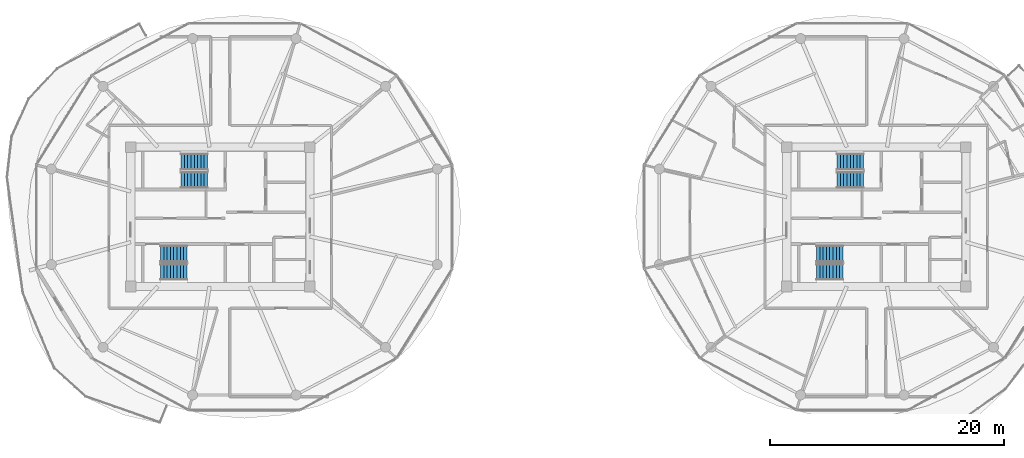
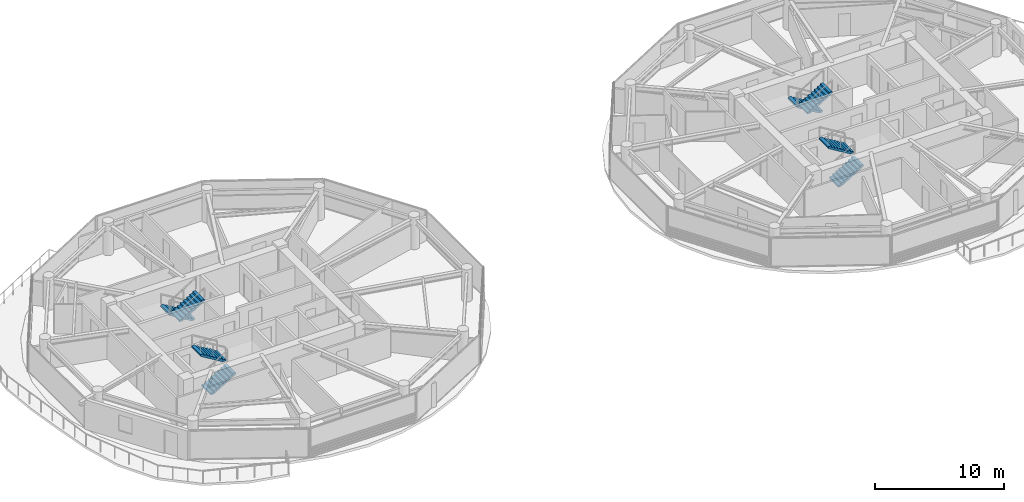
# One storey, part 18 of 23: 8 stair flights, 4 elements without a shape of their own.
"""IFC4 building model written with IfcOpenShell, lengths in metres."""

from ifc_helpers import new_model, si_unit, direction, frame, origin, place, context, subcontext, project, spatial, polyline, outline, extrude, material, type_object, element, aggregate, save


model = new_model("IFC4")

# Units and contexts
model_context = context("Model", 3, precision=1e-05, world=origin(), true_north=direction((0.0, 1.0)))
body_context = subcontext(model_context, "Body", "Model", "MODEL_VIEW")
ifc_project = project(units=[si_unit("LENGTHUNIT", "METRE"), si_unit("AREAUNIT", "SQUARE_METRE"), si_unit("VOLUMEUNIT", "CUBIC_METRE"), si_unit("PLANEANGLEUNIT", "RADIAN"), si_unit("MASSUNIT", "GRAM", prefix="KILO")], contexts=[model_context])

# Site, building, storey
site_placement = place(None, origin())
site = spatial("IfcSite", under=ifc_project, at=site_placement, CompositionType="ELEMENT")
building_placement = place(site_placement, origin())
building = spatial("IfcBuilding", under=site, at=building_placement, Name="Norrkilde Senior Care Towers", CompositionType="ELEMENT")
storey_placement = place(building_placement, frame((0.0, 0.0, 93.199951171875)))
storey = spatial("IfcBuildingStorey", under=building, at=storey_placement, Name="L28", CompositionType="ELEMENT", Elevation=93.199951171875)

# Stair, stair flights
ifc_material = material(Name="Concrete C45/55", Category="concrete")
stair_type = type_object("IfcStairType", Name="Core Protected Dogleg Stair Typical 3050", PredefinedType="HALF_TURN_STAIR", material=ifc_material)
stair_1_placement = place(storey_placement, origin())
stair_1 = element("IfcStair", 1, at=stair_1_placement, inside=storey, type_object=stair_type, Name="L28 Protected Core Stair W1", PredefinedType="HALF_TURN_STAIR")
stair_flight_type = type_object("IfcStairFlightType", Name="Core Protected Dogleg Stair Typical 3050 Flight", PredefinedType="STRAIGHT", material=ifc_material)
stair_flight_1_placement = place(storey_placement, frame((-29.10009765625, 4.699951171875, 0.0), z_axis=(0.0, 0.0, 1.0), x_axis=(-1.0, 0.0, 0.0)))
stair_flight_1 = element("IfcStairFlight", 2, at=stair_flight_1_placement, type_object=stair_flight_type, Name="ST-W1 flight 1", NumberOfRisers=9, NumberOfTreads=8, PredefinedType="STRAIGHT", RiserHeight=0.169444444, TreadLength=0.28, context=body_context, shape_type="SweptSolid", body=[
    extrude(outline(polyline([(0.0, 0.0), (0.0, 0.16943359375), (0.280029296875, 0.16943359375), (0.280029296875, 0.3388671875), (0.56005859375, 0.3388671875), (0.56005859375, 0.50830078125), (0.840087890625, 0.50830078125), (0.840087890625, 0.677734375), (1.1201171875, 0.677734375), (1.1201171875, 0.84716796875), (1.39990234375, 0.84716796875), (1.39990234375, 1.0166015625), (1.679931640625, 1.0166015625), (1.679931640625, 1.18603515625), (1.9599609375, 1.18603515625), (1.9599609375, 1.35546875), (2.239990234375, 1.35546875), (2.239990234375, 1.52490234375), (2.239990234375, 1.180419921875), (0.28955078125, 0.0), (0.0, 0.0)])), frame((0.0, 0.699951171875, 0.0), z_axis=(0.0, -1.0, 0.0), x_axis=(1.0, 0.0, 0.0)), (0.0, 0.0, 1.0), 1.39990234375),
])
stair_flight_2_placement = place(storey_placement, frame((-31.340087890625, 3.14990234375, 1.525146484375), z_axis=(0.0, 0.0, 1.0), x_axis=(1.0, 0.0, 0.0)))
stair_flight_2 = element("IfcStairFlight", 3, at=stair_flight_2_placement, type_object=stair_flight_type, Name="ST-W1 flight 2", NumberOfRisers=9, NumberOfTreads=8, PredefinedType="STRAIGHT", RiserHeight=0.169444444, TreadLength=0.28, context=body_context, shape_type="SweptSolid", body=[
    extrude(outline(polyline([(0.0, 0.0), (0.0, 0.16943359375), (0.280029296875, 0.16943359375), (0.280029296875, 0.3388671875), (0.56005859375, 0.3388671875), (0.56005859375, 0.50830078125), (0.840087890625, 0.50830078125), (0.840087890625, 0.677734375), (1.1201171875, 0.677734375), (1.1201171875, 0.84716796875), (1.39990234375, 0.84716796875), (1.39990234375, 1.0166015625), (1.679931640625, 1.0166015625), (1.679931640625, 1.18603515625), (1.9599609375, 1.18603515625), (1.9599609375, 1.35546875), (2.239990234375, 1.35546875), (2.239990234375, 1.52490234375), (2.239990234375, 1.180419921875), (0.28955078125, 0.0), (0.0, 0.0)])), frame((0.0, 0.699951171875, 0.0), z_axis=(0.0, -1.0, 0.0), x_axis=(1.0, 0.0, 0.0)), (0.0, 0.0, 1.0), 1.39990234375),
])
aggregate(stair_1, [stair_flight_1, stair_flight_2])

stair_2_placement = place(storey_placement, origin())
stair_2 = element("IfcStair", 4, at=stair_2_placement, inside=storey, type_object=stair_type, Name="L28 Protected Core Stair W2", PredefinedType="HALF_TURN_STAIR")
stair_flight_3_placement = place(storey_placement, frame((-33.10009765625, -4.699951171875, 0.0), z_axis=(0.0, 0.0, 1.0), x_axis=(1.0, 0.0, 0.0)))
stair_flight_3 = element("IfcStairFlight", 5, at=stair_flight_3_placement, type_object=stair_flight_type, Name="ST-W2 flight 1", NumberOfRisers=9, NumberOfTreads=8, PredefinedType="STRAIGHT", RiserHeight=0.169444444, TreadLength=0.28, context=body_context, shape_type="SweptSolid", body=[
    extrude(outline(polyline([(0.0, 0.0), (0.0, 0.16943359375), (0.280029296875, 0.16943359375), (0.280029296875, 0.3388671875), (0.56005859375, 0.3388671875), (0.56005859375, 0.50830078125), (0.840087890625, 0.50830078125), (0.840087890625, 0.677734375), (1.1201171875, 0.677734375), (1.1201171875, 0.84716796875), (1.39990234375, 0.84716796875), (1.39990234375, 1.0166015625), (1.679931640625, 1.0166015625), (1.679931640625, 1.18603515625), (1.9599609375, 1.18603515625), (1.9599609375, 1.35546875), (2.239990234375, 1.35546875), (2.239990234375, 1.52490234375), (2.239990234375, 1.180419921875), (0.28955078125, 0.0), (0.0, 0.0)])), frame((0.0, 0.699951171875, 0.0), z_axis=(0.0, -1.0, 0.0), x_axis=(1.0, 0.0, 0.0)), (0.0, 0.0, 1.0), 1.39990234375),
])
stair_flight_4_placement = place(storey_placement, frame((-30.860107421875, -3.14990234375, 1.525146484375), z_axis=(0.0, 0.0, 1.0), x_axis=(-1.0, 0.0, 0.0)))
stair_flight_4 = element("IfcStairFlight", 6, at=stair_flight_4_placement, type_object=stair_flight_type, Name="ST-W2 flight 2", NumberOfRisers=9, NumberOfTreads=8, PredefinedType="STRAIGHT", RiserHeight=0.169444444, TreadLength=0.28, context=body_context, shape_type="SweptSolid", body=[
    extrude(outline(polyline([(0.0, 0.0), (0.0, 0.16943359375), (0.280029296875, 0.16943359375), (0.280029296875, 0.3388671875), (0.56005859375, 0.3388671875), (0.56005859375, 0.50830078125), (0.840087890625, 0.50830078125), (0.840087890625, 0.677734375), (1.1201171875, 0.677734375), (1.1201171875, 0.84716796875), (1.39990234375, 0.84716796875), (1.39990234375, 1.0166015625), (1.679931640625, 1.0166015625), (1.679931640625, 1.18603515625), (1.9599609375, 1.18603515625), (1.9599609375, 1.35546875), (2.239990234375, 1.35546875), (2.239990234375, 1.52490234375), (2.239990234375, 1.180419921875), (0.28955078125, 0.0), (0.0, 0.0)])), frame((0.0, 0.699951171875, 0.0), z_axis=(0.0, -1.0, 0.0), x_axis=(1.0, 0.0, 0.0)), (0.0, 0.0, 1.0), 1.39990234375),
])
aggregate(stair_2, [stair_flight_3, stair_flight_4])

stair_3_placement = place(storey_placement, origin())
stair_3 = element("IfcStair", 7, at=stair_3_placement, inside=storey, type_object=stair_type, Name="L28 Protected Core Stair E1", PredefinedType="HALF_TURN_STAIR")
stair_flight_5_placement = place(storey_placement, frame((26.89990234375, 4.699951171875, 0.0), z_axis=(0.0, 0.0, 1.0), x_axis=(-1.0, 0.0, 0.0)))
stair_flight_5 = element("IfcStairFlight", 8, at=stair_flight_5_placement, type_object=stair_flight_type, Name="ST-E1 flight 1", NumberOfRisers=9, NumberOfTreads=8, PredefinedType="STRAIGHT", RiserHeight=0.169444444, TreadLength=0.28, context=body_context, shape_type="SweptSolid", body=[
    extrude(outline(polyline([(0.0, 0.0), (0.0, 0.16943359375), (0.280029296875, 0.16943359375), (0.280029296875, 0.3388671875), (0.56005859375, 0.3388671875), (0.56005859375, 0.50830078125), (0.840087890625, 0.50830078125), (0.840087890625, 0.677734375), (1.1201171875, 0.677734375), (1.1201171875, 0.84716796875), (1.39990234375, 0.84716796875), (1.39990234375, 1.0166015625), (1.679931640625, 1.0166015625), (1.679931640625, 1.18603515625), (1.9599609375, 1.18603515625), (1.9599609375, 1.35546875), (2.239990234375, 1.35546875), (2.239990234375, 1.52490234375), (2.239990234375, 1.180419921875), (0.28955078125, 0.0), (0.0, 0.0)])), frame((0.0, 0.699951171875, 0.0), z_axis=(0.0, -1.0, 0.0), x_axis=(1.0, 0.0, 0.0)), (0.0, 0.0, 1.0), 1.39990234375),
])
stair_flight_6_placement = place(storey_placement, frame((24.659912109375, 3.14990234375, 1.525146484375), z_axis=(0.0, 0.0, 1.0), x_axis=(1.0, 0.0, 0.0)))
stair_flight_6 = element("IfcStairFlight", 9, at=stair_flight_6_placement, type_object=stair_flight_type, Name="ST-E1 flight 2", NumberOfRisers=9, NumberOfTreads=8, PredefinedType="STRAIGHT", RiserHeight=0.169444444, TreadLength=0.28, context=body_context, shape_type="SweptSolid", body=[
    extrude(outline(polyline([(0.0, 0.0), (0.0, 0.16943359375), (0.280029296875, 0.16943359375), (0.280029296875, 0.3388671875), (0.56005859375, 0.3388671875), (0.56005859375, 0.50830078125), (0.840087890625, 0.50830078125), (0.840087890625, 0.677734375), (1.1201171875, 0.677734375), (1.1201171875, 0.84716796875), (1.39990234375, 0.84716796875), (1.39990234375, 1.0166015625), (1.679931640625, 1.0166015625), (1.679931640625, 1.18603515625), (1.9599609375, 1.18603515625), (1.9599609375, 1.35546875), (2.239990234375, 1.35546875), (2.239990234375, 1.52490234375), (2.239990234375, 1.180419921875), (0.28955078125, 0.0), (0.0, 0.0)])), frame((0.0, 0.699951171875, 0.0), z_axis=(0.0, -1.0, 0.0), x_axis=(1.0, 0.0, 0.0)), (0.0, 0.0, 1.0), 1.39990234375),
])
aggregate(stair_3, [stair_flight_5, stair_flight_6])

stair_4_placement = place(storey_placement, origin())
stair_4 = element("IfcStair", 10, at=stair_4_placement, inside=storey, type_object=stair_type, Name="L28 Protected Core Stair E2", PredefinedType="HALF_TURN_STAIR")
stair_flight_7_placement = place(storey_placement, frame((22.89990234375, -4.699951171875, 0.0), z_axis=(0.0, 0.0, 1.0), x_axis=(1.0, 0.0, 0.0)))
stair_flight_7 = element("IfcStairFlight", 11, at=stair_flight_7_placement, type_object=stair_flight_type, Name="ST-E2 flight 1", NumberOfRisers=9, NumberOfTreads=8, PredefinedType="STRAIGHT", RiserHeight=0.169444444, TreadLength=0.28, context=body_context, shape_type="SweptSolid", body=[
    extrude(outline(polyline([(0.0, 0.0), (0.0, 0.16943359375), (0.280029296875, 0.16943359375), (0.280029296875, 0.3388671875), (0.56005859375, 0.3388671875), (0.56005859375, 0.50830078125), (0.840087890625, 0.50830078125), (0.840087890625, 0.677734375), (1.1201171875, 0.677734375), (1.1201171875, 0.84716796875), (1.39990234375, 0.84716796875), (1.39990234375, 1.0166015625), (1.679931640625, 1.0166015625), (1.679931640625, 1.18603515625), (1.9599609375, 1.18603515625), (1.9599609375, 1.35546875), (2.239990234375, 1.35546875), (2.239990234375, 1.52490234375), (2.239990234375, 1.180419921875), (0.28955078125, 0.0), (0.0, 0.0)])), frame((0.0, 0.699951171875, 0.0), z_axis=(0.0, -1.0, 0.0), x_axis=(1.0, 0.0, 0.0)), (0.0, 0.0, 1.0), 1.39990234375),
])
stair_flight_8_placement = place(storey_placement, frame((25.139892578125, -3.14990234375, 1.525146484375), z_axis=(0.0, 0.0, 1.0), x_axis=(-1.0, 0.0, 0.0)))
stair_flight_8 = element("IfcStairFlight", 12, at=stair_flight_8_placement, type_object=stair_flight_type, Name="ST-E2 flight 2", NumberOfRisers=9, NumberOfTreads=8, PredefinedType="STRAIGHT", RiserHeight=0.169444444, TreadLength=0.28, context=body_context, shape_type="SweptSolid", body=[
    extrude(outline(polyline([(0.0, 0.0), (0.0, 0.16943359375), (0.280029296875, 0.16943359375), (0.280029296875, 0.3388671875), (0.56005859375, 0.3388671875), (0.56005859375, 0.50830078125), (0.840087890625, 0.50830078125), (0.840087890625, 0.677734375), (1.1201171875, 0.677734375), (1.1201171875, 0.84716796875), (1.39990234375, 0.84716796875), (1.39990234375, 1.0166015625), (1.679931640625, 1.0166015625), (1.679931640625, 1.18603515625), (1.9599609375, 1.18603515625), (1.9599609375, 1.35546875), (2.239990234375, 1.35546875), (2.239990234375, 1.52490234375), (2.239990234375, 1.180419921875), (0.28955078125, 0.0), (0.0, 0.0)])), frame((0.0, 0.699951171875, 0.0), z_axis=(0.0, -1.0, 0.0), x_axis=(1.0, 0.0, 0.0)), (0.0, 0.0, 1.0), 1.39990234375),
])
aggregate(stair_4, [stair_flight_7, stair_flight_8])

save(model, "model.ifc")
